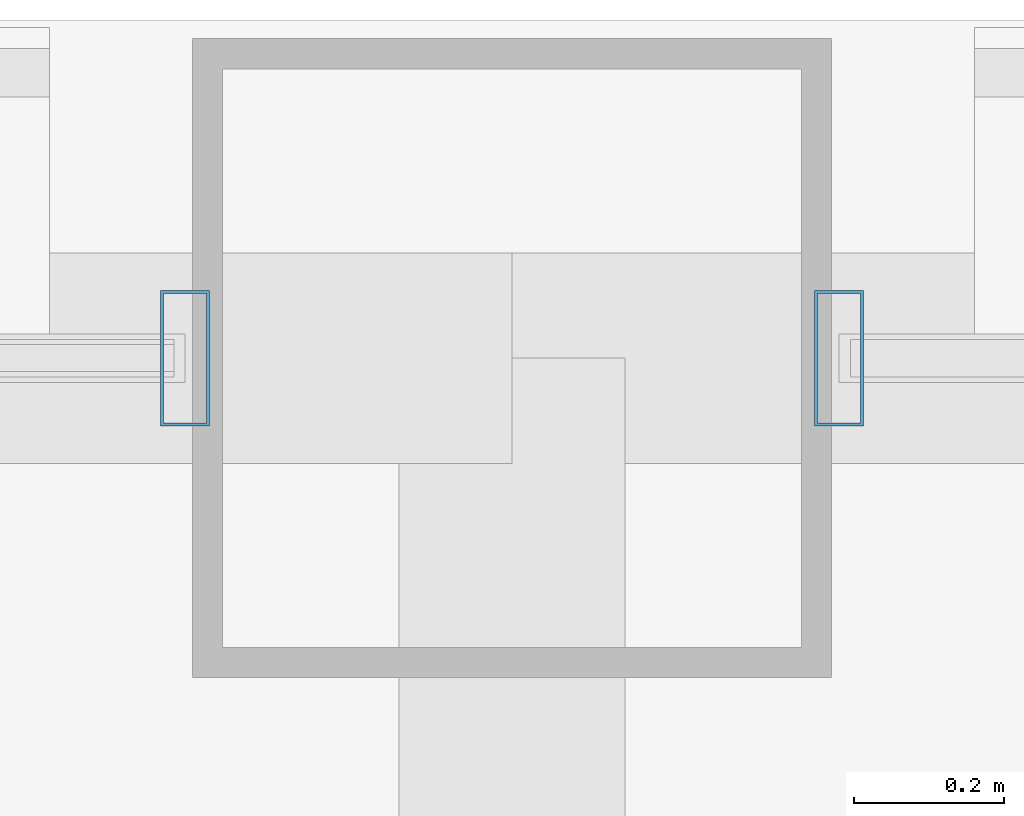
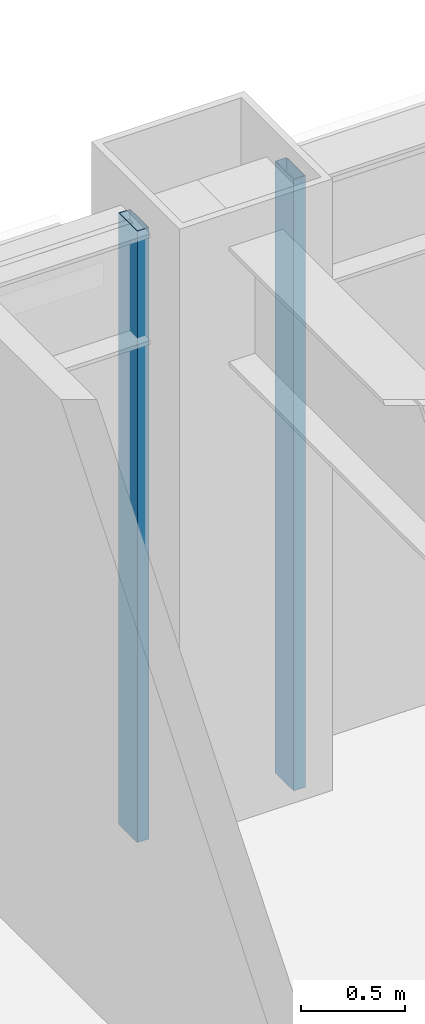
# One storey, part 19 of 30: 2 members, 2 elements without a shape of their own.
"""IFC4 building model written with IfcOpenShell, lengths in metres."""

from ifc_helpers import new_model, si_unit, direction, frame, origin, origin_2d, place, context, subcontext, project, spatial, hollow_rectangle, extrude, material, layer, layer_set, material_profile, profile_set, type_object, element, aggregate, save


model = new_model("IFC4")

# Units and contexts
model_context = context("Model", 3, precision=1e-05, world=origin(), true_north=direction((0.0, 1.0)))
body_context = subcontext(model_context, "Body", "Model", "MODEL_VIEW")
ifc_project = project(units=[si_unit("LENGTHUNIT", "METRE"), si_unit("AREAUNIT", "SQUARE_METRE"), si_unit("VOLUMEUNIT", "CUBIC_METRE"), si_unit("PLANEANGLEUNIT", "RADIAN"), si_unit("MASSUNIT", "GRAM", prefix="KILO")], contexts=[model_context])

# Site, building, storey
site_placement = place(None, origin())
site = spatial("IfcSite", under=ifc_project, at=site_placement, CompositionType="ELEMENT")
building_placement = place(site_placement, origin())
building = spatial("IfcBuilding", under=site, at=building_placement, Name="Brelmoor Portico Tower", CompositionType="ELEMENT")
storey_placement = place(building_placement, frame((0.0, 0.0, 102.60009765625)))
storey = spatial("IfcBuildingStorey", under=building, at=storey_placement, Name="L26", CompositionType="ELEMENT", Elevation=102.60009765625)

# Curtain wall, member
ifc_material = material(Name="Anodised Aluminium Alloy 6063-T6", Category="aluminium")
ifc_layer_1 = layer(ifc_material, 0.179931640625)
ifc_layer_set_1 = layer_set([ifc_layer_1], Name="Anodised Aluminium Alloy 6063-T6")
curtain_wall_type_1 = type_object("IfcCurtainWallType", Name="CW-TOWER-Z2", PredefinedType="NOTDEFINED", material=ifc_layer_set_1)
curtain_wall_1_placement = place(storey_placement, origin())
curtain_wall_1 = element("IfcCurtainWall", 1, at=curtain_wall_1_placement, inside=storey, type_object=curtain_wall_type_1, Name="L26 Curtain Wall CW-L26-02-2", PredefinedType="NOTDEFINED")
ifc_material_profile = material_profile(ifc_material, hollow_rectangle(XDim=0.06494140625, YDim=0.179931640625, WallThickness=0.00390625, at=origin_2d()), Name="ALU MULLION 65x180")
ifc_profile_set = profile_set([ifc_material_profile], Name="Anodised Aluminium Alloy 6063-T6")
member_type = type_object("IfcMemberType", Name="MB-CW-MULL-180", PredefinedType="MULLION", material=ifc_profile_set)
member_1_placement = place(storey_placement, frame((-8.485107421875, 19.550048828125, -0.2001953125), z_axis=(0.0, 0.0, 1.0), x_axis=(1.0, 0.0, 0.0)))
member_1 = element("IfcMember", 2, at=member_1_placement, type_object=member_type, Name="CW-L26-02-2 Mullion 01", PredefinedType="MULLION", context=body_context, shape_type="SweptSolid", body=[
    extrude(hollow_rectangle(XDim=0.06494140625, YDim=0.179931640625, WallThickness=0.00390625, at=origin_2d()), origin(), (0.0, 0.0, 1.0), 3.60009765625),
])
aggregate(curtain_wall_1, [member_1])

ifc_layer_2 = layer(ifc_material, 0.179931640625)
ifc_layer_set_2 = layer_set([ifc_layer_2], Name="Anodised Aluminium Alloy 6063-T6")
curtain_wall_type_2 = type_object("IfcCurtainWallType", Name="CW-TOWER-Z2-XB", PredefinedType="NOTDEFINED", material=ifc_layer_set_2)
curtain_wall_2_placement = place(storey_placement, origin())
curtain_wall_2 = element("IfcCurtainWall", 3, at=curtain_wall_2_placement, inside=storey, type_object=curtain_wall_type_2, Name="L26 Curtain Wall CW-L26-02-3", PredefinedType="NOTDEFINED")
member_2_placement = place(storey_placement, frame((-7.614990234375, 19.550048828125, -0.2001953125), z_axis=(0.0, 0.0, 1.0), x_axis=(1.0, 0.0, 0.0)))
member_2 = element("IfcMember", 4, at=member_2_placement, type_object=member_type, Name="CW-L26-02-3 Mullion 00", PredefinedType="MULLION", context=body_context, shape_type="SweptSolid", body=[
    extrude(hollow_rectangle(XDim=0.06494140625, YDim=0.179931640625, WallThickness=0.00390625, at=origin_2d()), origin(), (0.0, 0.0, 1.0), 3.60009765625),
])
aggregate(curtain_wall_2, [member_2])

save(model, "model.ifc")
